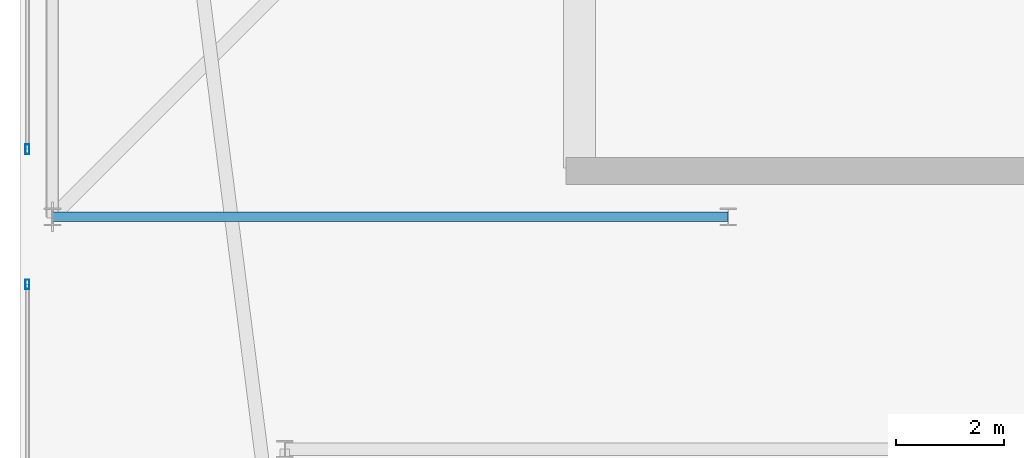
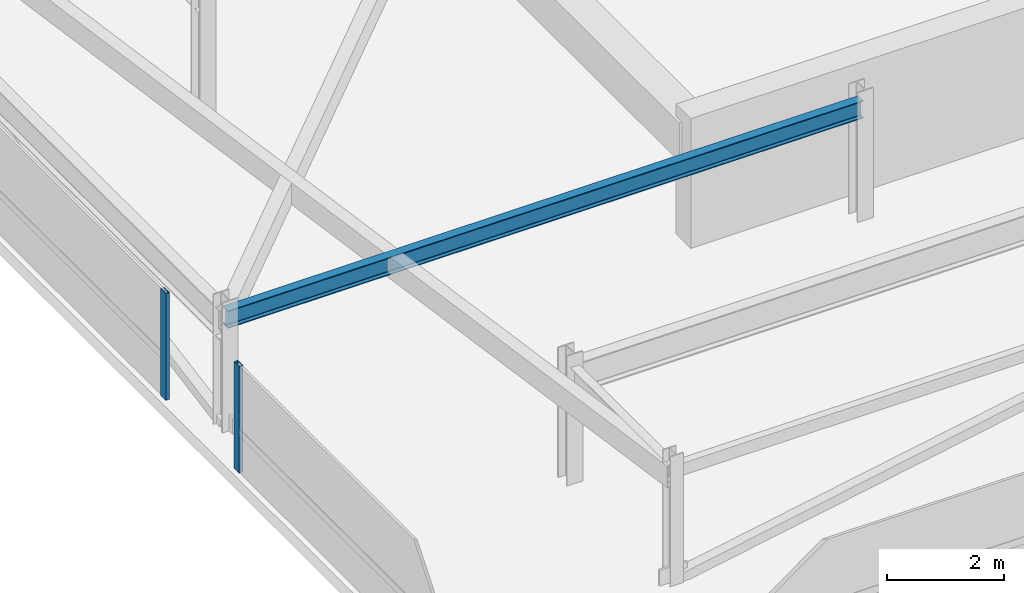
# One storey, part 11 of 44: 2 members, 1 beam, 2 elements without a shape of their own.
"""IFC4 building model written with IfcOpenShell, lengths in metres."""

from ifc_helpers import new_model, si_unit, direction, frame, origin, origin_2d, place, context, subcontext, project, spatial, hollow_rectangle, i_section, extrude, material, material_profile, profile_set, type_object, element, aggregate, save


model = new_model("IFC4")

# Units and contexts
model_context = context("Model", 3, precision=1e-05, world=origin(), true_north=direction((0.0, 1.0)))
body_context = subcontext(model_context, "Body", "Model", "MODEL_VIEW")
ifc_project = project(units=[si_unit("LENGTHUNIT", "METRE"), si_unit("AREAUNIT", "SQUARE_METRE"), si_unit("VOLUMEUNIT", "CUBIC_METRE"), si_unit("PLANEANGLEUNIT", "RADIAN"), si_unit("MASSUNIT", "GRAM", prefix="KILO")], contexts=[model_context])

# Site, building, storey
site_placement = place(None, origin())
site = spatial("IfcSite", under=ifc_project, at=site_placement, CompositionType="ELEMENT")
building_placement = place(site_placement, origin())
building = spatial("IfcBuilding", under=site, at=building_placement, Name="Thornwick Lancets Civic Towers", CompositionType="ELEMENT")
storey_placement = place(building_placement, frame((0.0, 0.0, 292.199951171875)))
storey = spatial("IfcBuildingStorey", under=building, at=storey_placement, Name="C05", CompositionType="ELEMENT", Elevation=292.199951171875)

# Beam
ifc_material_1 = material(Name="Steel S355JR", Category="steel")
ifc_material_profile_1 = material_profile(ifc_material_1, i_section(OverallWidth=0.173095703125, OverallDepth=0.36328125, WebThickness=0.009033203125, FlangeThickness=0.015625, FilletRadius=0.01025390625, at=origin_2d()), Name="UKB 356x171x67")
ifc_profile_set_1 = profile_set([ifc_material_profile_1], Name="Steel S355JR")
beam_type = type_object("IfcBeamType", Name="BM_JOIST_356_67", PredefinedType="JOIST", material=ifc_profile_set_1)
beam_placement = place(storey_placement, frame((20.699951171875, 14.0, 2.25830078125), z_axis=(-1.0, 0.0, 0.0), x_axis=(0.0, -1.0, 0.0)))
element("IfcBeam", 1, at=beam_placement, inside=storey, type_object=beam_type, Name="BM-RADIN-C05-A10", PredefinedType="JOIST", context=body_context, shape_type="SweptSolid", body=[
    extrude(i_section(OverallWidth=0.173095703125, OverallDepth=0.36328125, WebThickness=0.009033203125, FlangeThickness=0.015625, FilletRadius=0.01025390625, at=origin_2d()), origin(), (0.0, 0.0, 1.0), 12.5),
])

# Curtain wall, member
ifc_material_2 = material(Name="Crown ring acoustic-louvre and glazing screen wall", Category="glass")
curtain_wall_type = type_object("IfcCurtainWallType", Name="CW_SYS_07", PredefinedType="NOTDEFINED", material=ifc_material_2)
curtain_wall_1_placement = place(storey_placement, origin())
curtain_wall_1 = element("IfcCurtainWall", 2, at=curtain_wall_1_placement, inside=storey, type_object=curtain_wall_type, Name="C05 Curtain Wall CW-C05-A-E6-S2", PredefinedType="NOTDEFINED")
ifc_material_3 = material(Name="Thermally broken bronze aluminium S355", Category="steel")
ifc_material_profile_2 = material_profile(ifc_material_3, hollow_rectangle(XDim=0.074951171875, YDim=0.179931640625, WallThickness=0.006103515625, at=origin_2d()), Name="RHS 180x75x6")
ifc_profile_set_2 = profile_set([ifc_material_profile_2], Name="Thermally broken bronze aluminium S355")
member_type = type_object("IfcMemberType", Name="CW_MUL_180", PredefinedType="MULLION", material=ifc_profile_set_2)
member_1_placement = place(storey_placement, frame((7.7353515625, 15.25, 0.0), z_axis=(0.0, 0.0, 1.0), x_axis=(1.0, 0.0, 0.0)))
member_1 = element("IfcMember", 3, at=member_1_placement, type_object=member_type, Name="CW-C05-A-E6-S2 Mullion 1", PredefinedType="MULLION", context=body_context, shape_type="SweptSolid", body=[
    extrude(hollow_rectangle(XDim=0.074951171875, YDim=0.179931640625, WallThickness=0.006103515625, at=origin_2d()), origin(), (0.0, 0.0, 1.0), 2.219970703125),
])
aggregate(curtain_wall_1, [member_1])

curtain_wall_2_placement = place(storey_placement, origin())
curtain_wall_2 = element("IfcCurtainWall", 4, at=curtain_wall_2_placement, inside=storey, type_object=curtain_wall_type, Name="C05 Curtain Wall CW-C05-A-E6-S3", PredefinedType="NOTDEFINED")
member_2_placement = place(storey_placement, frame((7.7353515625, 12.75, 0.0), z_axis=(0.0, 0.0, 1.0), x_axis=(1.0, 0.0, 0.0)))
member_2 = element("IfcMember", 5, at=member_2_placement, type_object=member_type, Name="CW-C05-A-E6-S3 Mullion 0", PredefinedType="MULLION", context=body_context, shape_type="SweptSolid", body=[
    extrude(hollow_rectangle(XDim=0.074951171875, YDim=0.179931640625, WallThickness=0.006103515625, at=origin_2d()), origin(), (0.0, 0.0, 1.0), 2.219970703125),
])
aggregate(curtain_wall_2, [member_2])

save(model, "model.ifc")
